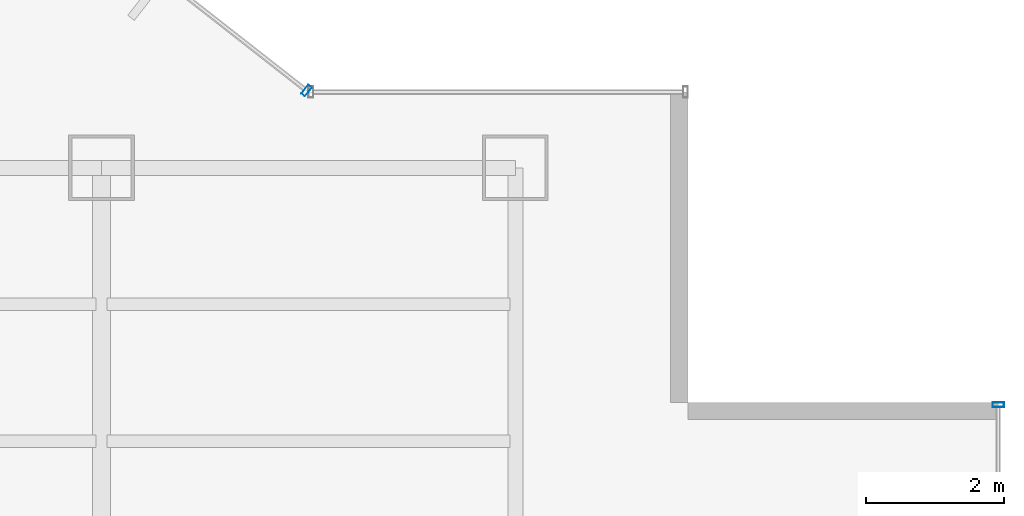
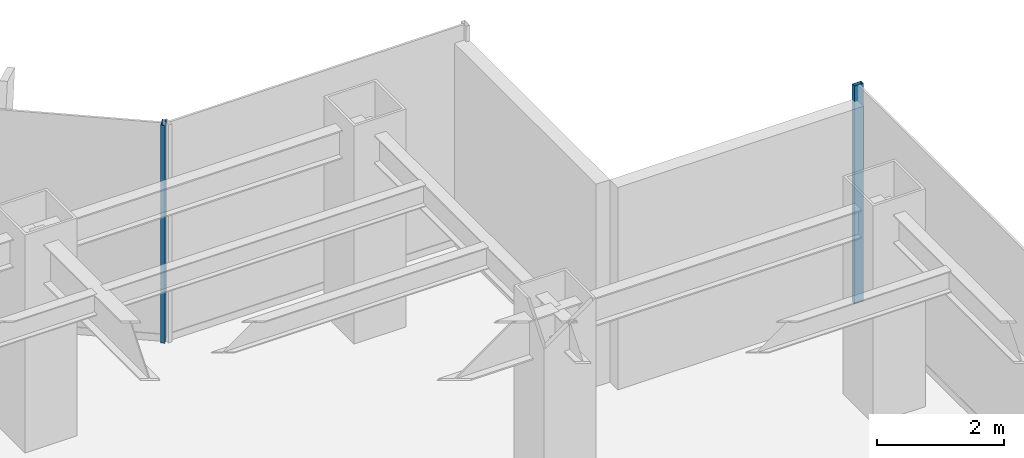
# One storey, part 25 of 35: 2 members, 2 elements without a shape of their own.
"""IFC4 building model written with IfcOpenShell, lengths in metres."""

from ifc_helpers import new_model, si_unit, derived_unit, direction, frame, origin, origin_2d, place, context, subcontext, project, spatial, hollow_rectangle, extrude, source, transform, mapped, material, material_profile, profile_set, type_object, element, aggregate, save


model = new_model("IFC4")

# Units and contexts
model_context = context("Model", 3, precision=1e-05, world=origin(), true_north=direction((0.0, 1.0)))
body_context = subcontext(model_context, "Body", "Model", "MODEL_VIEW")
ifc_project = project(units=[si_unit("LENGTHUNIT", "METRE"), si_unit("AREAUNIT", "SQUARE_METRE"), si_unit("VOLUMEUNIT", "CUBIC_METRE"), si_unit("PLANEANGLEUNIT", "RADIAN"), si_unit("MASSUNIT", "GRAM", prefix="KILO"), derived_unit("THERMALTRANSMITTANCEUNIT", [(si_unit("POWERUNIT", "WATT"), 1), (si_unit("LENGTHUNIT", "METRE"), -2), (si_unit("THERMODYNAMICTEMPERATUREUNIT", "KELVIN"), -1)])], contexts=[model_context])

# Site, building, storey
site_placement = place(None, origin())
site = spatial("IfcSite", under=ifc_project, at=site_placement, CompositionType="ELEMENT")
building_placement = place(site_placement, origin())
building = spatial("IfcBuilding", under=site, at=building_placement, Name="Skarnbrae Concourse Arena and Tower", CompositionType="ELEMENT")
storey_placement = place(building_placement, frame((0.0, 0.0, 79.949951171875)))
storey = spatial("IfcBuildingStorey", under=building, at=storey_placement, Name="L19", CompositionType="ELEMENT", Elevation=79.949951171875)

# Curtain wall, member
ifc_material = material(Name="Bronze anodised aluminium 6063-T6", Category="aluminium")
curtain_wall_type = type_object("IfcCurtainWallType", Name="CW-SYS-06-SKYLOBBY", PredefinedType="USERDEFINED", material=ifc_material)
curtain_wall_1_placement = place(storey_placement, origin())
curtain_wall_1 = element("IfcCurtainWall", 1, at=curtain_wall_1_placement, inside=storey, type_object=curtain_wall_type, Name="L19 Unitised curtain wall CW-L19-E04", ObjectType="UNITISED CURTAIN WALL", PredefinedType="USERDEFINED")
ifc_material_profile = material_profile(ifc_material, hollow_rectangle(XDim=0.070068359375, YDim=0.1650390625, WallThickness=0.00390625, at=origin_2d()), Name="ALU-MULL-70X165")
ifc_profile_set = profile_set([ifc_material_profile], Name="Bronze anodised aluminium 6063-T6")
member_type = type_object("IfcMemberType", Name="CWM-CW-06", PredefinedType="MULLION", material=ifc_profile_set)
shared_shape = source(origin(), body_context, "Body", "SweptSolid", [
    extrude(hollow_rectangle(XDim=0.070068359375, YDim=0.1650390625, WallThickness=0.00390625, at=origin_2d()), origin(), (0.0, 0.0, 1.0), 4.199951171875),
])
member_1_placement = place(storey_placement, frame((62.0, 36.965087890625, 0.0), z_axis=(0.0, 0.0, 1.0), x_axis=(0.0, 1.0, 0.0)))
member_1 = element("IfcMember", 2, at=member_1_placement, type_object=member_type, Name="CW-L19-E04 Mullion 5", PredefinedType="MULLION", context=body_context, shape_type="MappedRepresentation", body=[
    mapped(shared_shape, transform((0.0, 0.0, 0.0))),
])
aggregate(curtain_wall_1, [member_1])

curtain_wall_2_placement = place(storey_placement, origin())
curtain_wall_2 = element("IfcCurtainWall", 3, at=curtain_wall_2_placement, inside=storey, type_object=curtain_wall_type, Name="L19 Unitised curtain wall CW-L19-E08", ObjectType="UNITISED CURTAIN WALL", PredefinedType="USERDEFINED")
member_2_placement = place(storey_placement, frame((51.972412109375, 41.521484375, 0.0), z_axis=(0.0, 0.0, 1.0), x_axis=(-0.787651726054, 0.616120733658, 0.0)))
member_2 = element("IfcMember", 4, at=member_2_placement, type_object=member_type, Name="CW-L19-E08 Mullion 1", PredefinedType="MULLION", context=body_context, shape_type="MappedRepresentation", body=[
    mapped(shared_shape, transform((0.0, 0.0, 0.0))),
])
aggregate(curtain_wall_2, [member_2])

save(model, "model.ifc")
